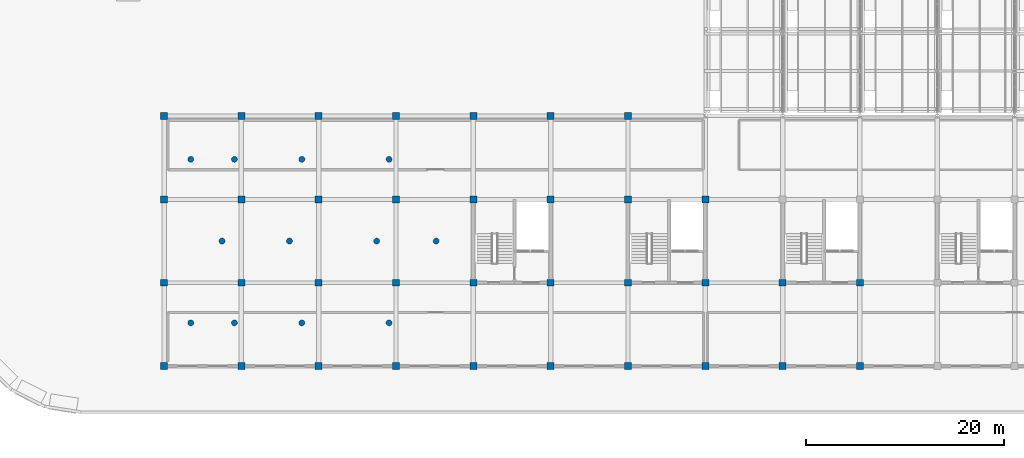
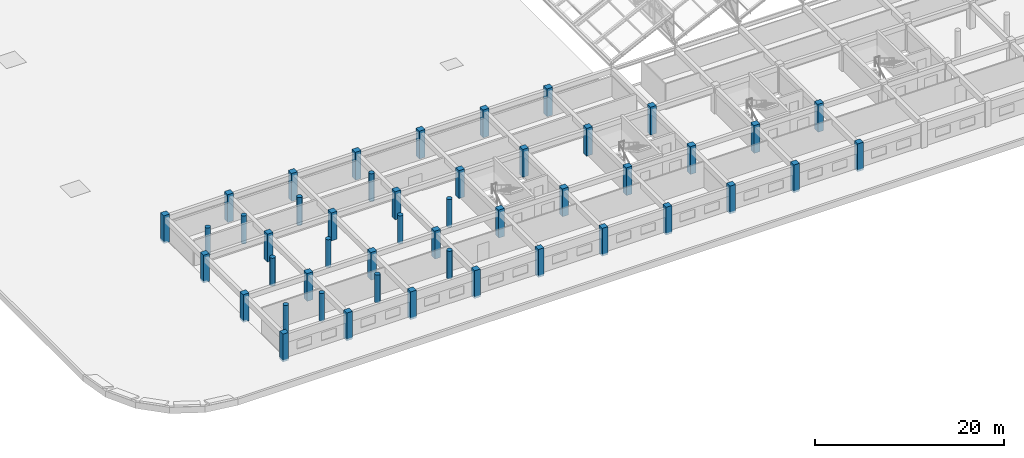
# One storey, part 1 of 101: 47 columns.
"""IFC4 building model written with IfcOpenShell, lengths in metres."""

from ifc_helpers import new_model, si_unit, direction, frame, origin, origin_2d, place, context, subcontext, project, spatial, rectangle, circle, extrude, material, material_profile, profile_set, type_object, element, save


model = new_model("IFC4")

# Units and contexts
model_context = context("Model", 3, precision=1e-05, world=origin(), true_north=direction((0.0, 1.0)))
body_context = subcontext(model_context, "Body", "Model", "MODEL_VIEW")
ifc_project = project(units=[si_unit("LENGTHUNIT", "METRE"), si_unit("AREAUNIT", "SQUARE_METRE"), si_unit("VOLUMEUNIT", "CUBIC_METRE"), si_unit("PLANEANGLEUNIT", "RADIAN"), si_unit("MASSUNIT", "GRAM", prefix="KILO")], contexts=[model_context])

# Site, building, storey
site_placement = place(None, origin())
site = spatial("IfcSite", under=ifc_project, at=site_placement, CompositionType="ELEMENT")
building_placement = place(site_placement, origin())
building = spatial("IfcBuilding", under=site, at=building_placement, Name="Zizhar Promenade General Hospital", CompositionType="ELEMENT")
storey_placement = place(building_placement, frame((0.0, 0.0, 14.39990234375)))
storey = spatial("IfcBuildingStorey", under=building, at=storey_placement, Name="L03", CompositionType="ELEMENT", Elevation=14.39990234375)

# Columns
ifc_material_1 = material(Name="Concrete C40/50", Category="concrete")
ifc_material_profile_1 = material_profile(ifc_material_1, circle(Radius=0.300048828125, at=origin_2d()))
ifc_profile_set_1 = profile_set([ifc_material_profile_1], Name="Concrete C40/50")
column_type_1 = type_object("IfcColumnType", Name="COL-CIRC-600", PredefinedType="PILASTER", material=ifc_profile_set_1)
for number, where, z_axis, x_axis, name in (
    (1, (18.300048828125, 4.35009765625, 0.0), (0.0, 0.0, 1.0), (1.0, 0.0, 0.0), "Ward Terrace Interior Support Column L06-W0 (L03)"),
    (2, (18.300048828125, 20.85009765625, 0.0), (0.0, 0.0, 1.0), (1.0, 0.0, 0.0), "Ward Terrace Interior Support Column L06-W1 (L03)"),
    (3, (21.449951171875, 12.60009765625, 0.0), (0.0, 0.0, 1.0), (1.0, 0.0, 0.0), "Ward Terrace Interior Support Column L06-W2 (L03)"),
    (4, (22.699951171875, 4.35009765625, 0.0), (0.0, 0.0, 1.0), (1.0, 0.0, 0.0), "Ward Terrace Interior Support Column L07-W0 (L03)"),
    (5, (22.699951171875, 20.85009765625, 0.0), (0.0, 0.0, 1.0), (1.0, 0.0, 0.0), "Ward Terrace Interior Support Column L07-W1 (L03)"),
    (6, (28.25, 12.60009765625, 0.0), (0.0, 0.0, 1.0), (1.0, 0.0, 0.0), "Ward Terrace Interior Support Column L07-W2 (L03)"),
    (7, (29.5, 4.35009765625, 0.0), (0.0, 0.0, 1.0), (1.0, 0.0, 0.0), "Ward Terrace Interior Support Column L08-W0 (L03)"),
    (8, (29.5, 20.85009765625, 0.0), (0.0, 0.0, 1.0), (1.0, 0.0, 0.0), "Ward Terrace Interior Support Column L08-W1 (L03)"),
    (9, (37.050048828125, 12.60009765625, 0.0), (0.0, 0.0, 1.0), (1.0, 0.0, 0.0), "Ward Terrace Interior Support Column L08-W2 (L03)"),
    (10, (38.300048828125, 4.35009765625, 0.0), (0.0, 0.0, 1.0), (1.0, 0.0, 0.0), "Ward Terrace Interior Support Column L09-W0 (L03)"),
    (11, (38.300048828125, 20.85009765625, 0.0), (0.0, 0.0, 1.0), (1.0, 0.0, 0.0), "Ward Terrace Interior Support Column L09-W1 (L03)"),
    (12, (43.050048828125, 12.60009765625, 0.0), (0.0, 0.0, 1.0), (1.0, 0.0, 0.0), "Ward Terrace Interior Support Column L09-W2 (L03)"),
):
    element("IfcColumn", number, at=place(storey_placement, frame(where, z_axis=z_axis, x_axis=x_axis)), inside=storey, type_object=column_type_1, Name=name, PredefinedType="PILASTER", context=body_context, shape_type="SweptSolid", body=[
        extrude(circle(Radius=0.300048828125, at=origin_2d()), origin(), (0.0, 0.0, 1.0), 3.60009765625),
    ])
ifc_material_2 = material(Name="Concrete C40/50", Category="concrete")
ifc_material_profile_2 = material_profile(ifc_material_2, rectangle(XDim=0.699951171875, YDim=0.699951171875, at=origin_2d()))
ifc_profile_set_2 = profile_set([ifc_material_profile_2], Name="Concrete C40/50")
column_type_2 = type_object("IfcColumnType", Name="COL-RC-700", PredefinedType="COLUMN", material=ifc_profile_set_2)
for number, where, z_axis, x_axis, name in (
    (13, (15.60009765625, 0.0, 0.0), (0.0, 0.0, 1.0), (1.0, 0.0, 0.0), "Column 3-A (L03)"),
    (14, (15.60009765625, 8.39990234375, 0.0), (0.0, 0.0, 1.0), (1.0, 0.0, 0.0), "Column 3-B (L03)"),
    (15, (15.60009765625, 16.800048828125, 0.0), (0.0, 0.0, 1.0), (1.0, 0.0, 0.0), "Column 3-C (L03)"),
    (16, (15.60009765625, 25.199951171875, 0.0), (0.0, 0.0, 1.0), (1.0, 0.0, 0.0), "Column 3-D (L03)"),
    (17, (23.39990234375, 0.0, 0.0), (0.0, 0.0, 1.0), (1.0, 0.0, 0.0), "Column 4-A (L03)"),
    (18, (23.39990234375, 8.39990234375, 0.0), (0.0, 0.0, 1.0), (1.0, 0.0, 0.0), "Column 4-B (L03)"),
    (19, (23.39990234375, 16.800048828125, 0.0), (0.0, 0.0, 1.0), (1.0, 0.0, 0.0), "Column 4-C (L03)"),
    (20, (23.39990234375, 25.199951171875, 0.0), (0.0, 0.0, 1.0), (1.0, 0.0, 0.0), "Column 4-D (L03)"),
    (21, (31.199951171875, 0.0, 0.0), (0.0, 0.0, 1.0), (1.0, 0.0, 0.0), "Column 5-A (L03)"),
    (22, (31.199951171875, 8.39990234375, 0.0), (0.0, 0.0, 1.0), (1.0, 0.0, 0.0), "Column 5-B (L03)"),
    (23, (31.199951171875, 16.800048828125, 0.0), (0.0, 0.0, 1.0), (1.0, 0.0, 0.0), "Column 5-C (L03)"),
    (24, (31.199951171875, 25.199951171875, 0.0), (0.0, 0.0, 1.0), (1.0, 0.0, 0.0), "Column 5-D (L03)"),
    (25, (39.0, 0.0, 0.0), (0.0, 0.0, 1.0), (1.0, 0.0, 0.0), "Column 6-A (L03)"),
    (26, (39.0, 8.39990234375, 0.0), (0.0, 0.0, 1.0), (1.0, 0.0, 0.0), "Column 6-B (L03)"),
    (27, (39.0, 16.800048828125, 0.0), (0.0, 0.0, 1.0), (1.0, 0.0, 0.0), "Column 6-C (L03)"),
    (28, (39.0, 25.199951171875, 0.0), (0.0, 0.0, 1.0), (1.0, 0.0, 0.0), "Column 6-D (L03)"),
    (29, (46.800048828125, 0.0, 0.0), (0.0, 0.0, 1.0), (1.0, 0.0, 0.0), "Column 7-A (L03)"),
    (30, (46.800048828125, 8.39990234375, 0.0), (0.0, 0.0, 1.0), (1.0, 0.0, 0.0), "Column 7-B (L03)"),
    (31, (46.800048828125, 16.800048828125, 0.0), (0.0, 0.0, 1.0), (1.0, 0.0, 0.0), "Column 7-C (L03)"),
    (32, (46.800048828125, 25.199951171875, 0.0), (0.0, 0.0, 1.0), (1.0, 0.0, 0.0), "Column 7-D (L03)"),
    (33, (54.60009765625, 0.0, 0.0), (0.0, 0.0, 1.0), (1.0, 0.0, 0.0), "Column 8-A (L03)"),
    (34, (54.60009765625, 8.39990234375, 0.0), (0.0, 0.0, 1.0), (1.0, 0.0, 0.0), "Column 8-B (L03)"),
    (35, (54.60009765625, 16.800048828125, 0.0), (0.0, 0.0, 1.0), (1.0, 0.0, 0.0), "Column 8-C (L03)"),
    (36, (54.60009765625, 25.199951171875, 0.0), (0.0, 0.0, 1.0), (1.0, 0.0, 0.0), "Column 8-D (L03)"),
    (37, (62.39990234375, 0.0, 0.0), (0.0, 0.0, 1.0), (1.0, 0.0, 0.0), "Column 9-A (L03)"),
    (38, (62.39990234375, 8.39990234375, 0.0), (0.0, 0.0, 1.0), (1.0, 0.0, 0.0), "Column 9-B (L03)"),
    (39, (62.39990234375, 16.800048828125, 0.0), (0.0, 0.0, 1.0), (1.0, 0.0, 0.0), "Column 9-C (L03)"),
    (40, (62.39990234375, 25.199951171875, 0.0), (0.0, 0.0, 1.0), (1.0, 0.0, 0.0), "Column 9-D (L03)"),
    (41, (70.199951171875, 0.0, 0.0), (0.0, 0.0, 1.0), (1.0, 0.0, 0.0), "Column 10-A (L03)"),
    (42, (70.199951171875, 8.39990234375, 0.0), (0.0, 0.0, 1.0), (1.0, 0.0, 0.0), "Column 10-B (L03)"),
    (43, (70.199951171875, 16.800048828125, 0.0), (0.0, 0.0, 1.0), (1.0, 0.0, 0.0), "Column 10-C (L03)"),
    (44, (78.0, 0.0, 0.0), (0.0, 0.0, 1.0), (1.0, 0.0, 0.0), "Column 11-A (L03)"),
    (45, (78.0, 8.39990234375, 0.0), (0.0, 0.0, 1.0), (1.0, 0.0, 0.0), "Column 11-B (L03)"),
    (46, (85.800048828125, 0.0, 0.0), (0.0, 0.0, 1.0), (1.0, 0.0, 0.0), "Column 12-A (L03)"),
    (47, (85.800048828125, 8.39990234375, 0.0), (0.0, 0.0, 1.0), (1.0, 0.0, 0.0), "Column 12-B (L03)"),
):
    element("IfcColumn", number, at=place(storey_placement, frame(where, z_axis=z_axis, x_axis=x_axis)), inside=storey, type_object=column_type_2, Name=name, PredefinedType="COLUMN", context=body_context, shape_type="SweptSolid", body=[
        extrude(rectangle(XDim=0.699951171875, YDim=0.699951171875, at=origin_2d()), origin(), (0.0, 0.0, 1.0), 3.60009765625),
    ])

save(model, "model.ifc")
